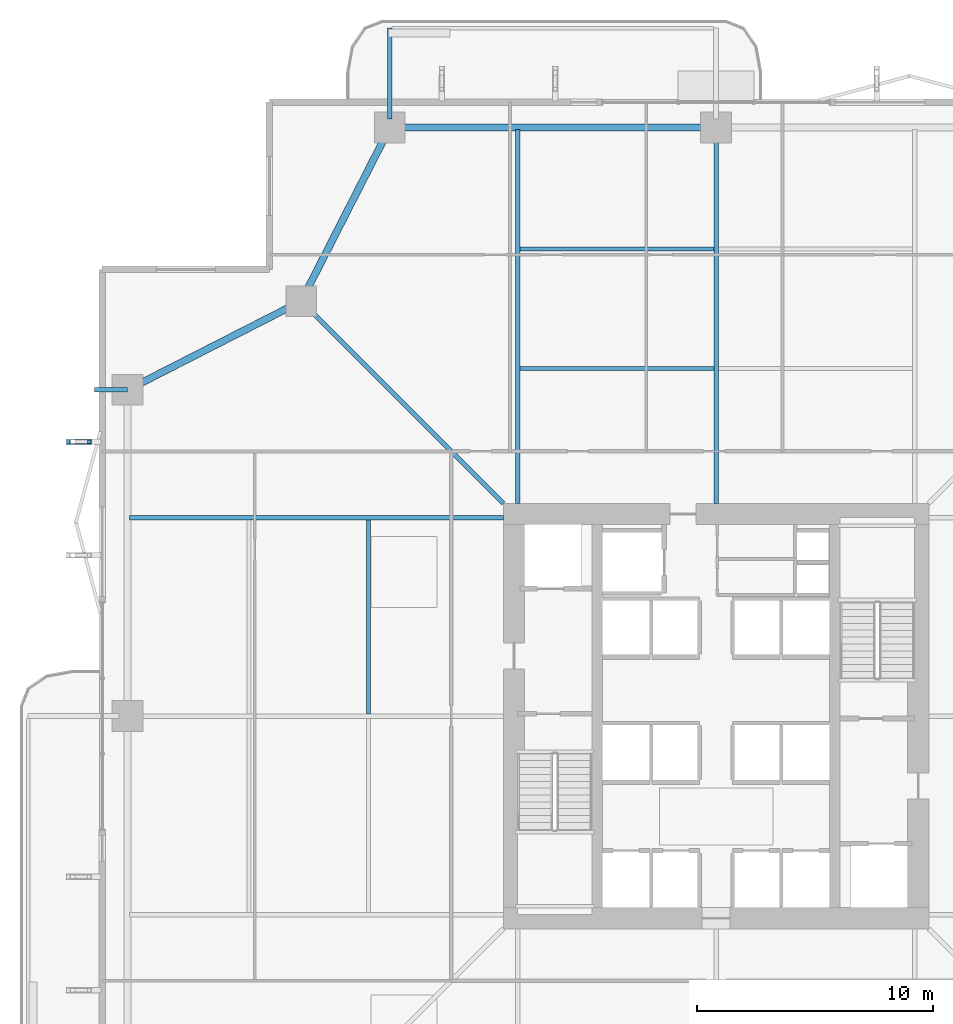
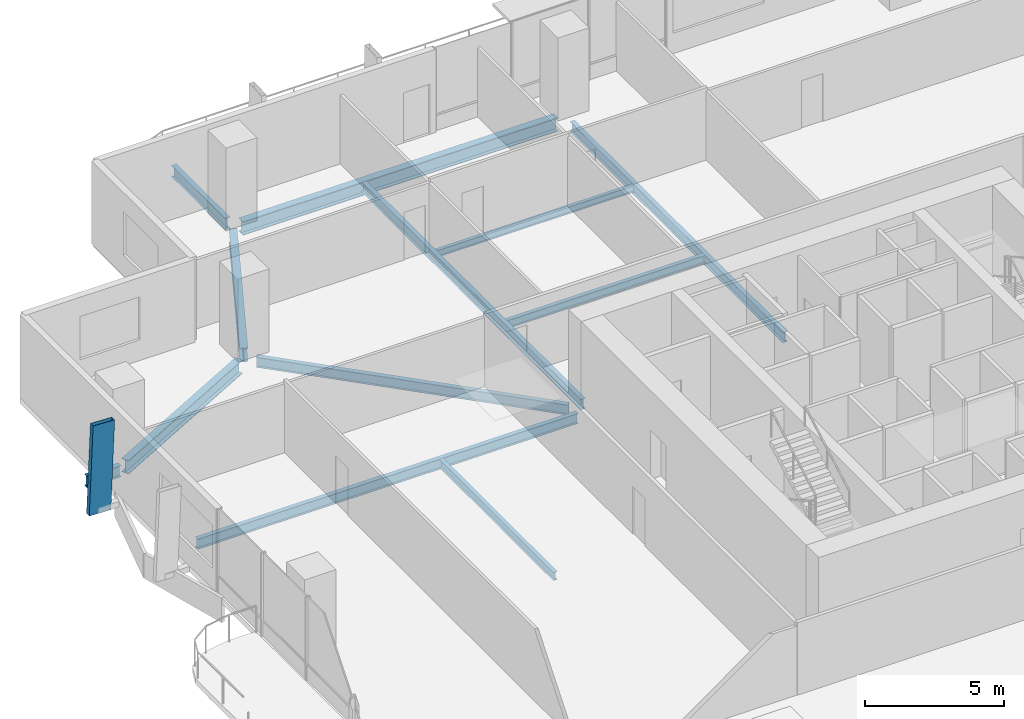
# One storey, part 10 of 24: 12 beams, 1 member.
"""IFC4 building model written with IfcOpenShell, lengths in metres."""

import ifcopenshell
import ifcopenshell.guid

model = None  # the IFC model being written
_history = None  # IfcOwnerHistory: only IFC2X3 demands one
_inside = {}  # id of a spatial element -> (the spatial element, [elements in it])
_under = {}  # id of a project, library or spatial element -> (it, [spatial elements below it])
_declared = {}  # id of a project -> (the project, [libraries it declares])
_typed = {}  # id of a type object -> (the type object, [elements of that type])
_made_of = {}  # id of a material, layer set ... -> (it, [elements and type objects made of it])


def new_model(schema):
    """Start an empty IFC model of exactly this schema.

    Asked for "IFC4X3", IfcOpenShell would pick the latest addendum, in which some entities
    have other attributes; the version numbers below select the first issue.
    IFC2X3 requires an IfcOwnerHistory on every rooted entity: one is made here for all.
    """
    global model, _history
    if schema == "IFC4X3":
        model = ifcopenshell.file(schema_version=(4, 3, 0, 0))
    else:
        model = ifcopenshell.file(schema=schema)
    _inside.clear()
    _under.clear()
    _declared.clear()
    _typed.clear()
    _made_of.clear()
    _history = None
    if model.schema == "IFC2X3":
        org = make("IfcOrganization", Name="unknown")
        user = make(
            "IfcPersonAndOrganization",
            ThePerson=make("IfcPerson", FamilyName="unknown"),
            TheOrganization=org,
        )
        app = make(
            "IfcApplication",
            ApplicationDeveloper=org,
            Version="unknown",
            ApplicationFullName="unknown",
            ApplicationIdentifier="unknown",
        )
        _history = make(
            "IfcOwnerHistory",
            OwningUser=user,
            OwningApplication=app,
            ChangeAction="ADDED",
            CreationDate=0,
        )
    return model


def make(cls, **values):
    """One entity of the class cls with the attributes given. An attribute that is None is left unset."""
    return model.create_entity(
        cls, **{name: value for name, value in values.items() if value is not None}
    )


def rooted(cls, **values):
    """An entity with a GlobalId (a new one), such as an element, a storey or a relation."""
    return make(cls, GlobalId=ifcopenshell.guid.new(), OwnerHistory=_history, **values)


def si_unit(unit_type, name, prefix=None):
    """IfcSIUnit, for example si_unit("LENGTHUNIT", "METRE", prefix="MILLI")."""
    return make("IfcSIUnit", UnitType=unit_type, Prefix=prefix, Name=name)


def assignment(units):
    """IfcUnitAssignment: the units of a project."""
    return None if units is None else make("IfcUnitAssignment", Units=units)


def point(xyz):
    """IfcCartesianPoint."""
    return None if xyz is None else make("IfcCartesianPoint", Coordinates=xyz)


def direction(xyz):
    """IfcDirection."""
    return None if xyz is None else make("IfcDirection", DirectionRatios=xyz)


def frame(location, z_axis=None, x_axis=None):
    """IfcAxis2Placement3D, a coordinate frame: its origin and axes. An axis left out is left unset."""
    return make(
        "IfcAxis2Placement3D",
        Location=point(location),
        Axis=direction(z_axis),
        RefDirection=direction(x_axis),
    )


def frame_2d(location, x_axis=None):
    """IfcAxis2Placement2D, a coordinate frame in the plane: its origin and x axis."""
    return make(
        "IfcAxis2Placement2D", Location=point(location), RefDirection=direction(x_axis)
    )


def origin():
    """The frame at (0, 0, 0) with its axes left unset."""
    return frame((0.0, 0.0, 0.0))


def origin_2d():
    """The frame at (0, 0) in the plane with its x axis left unset."""
    return frame_2d((0.0, 0.0))


def place(relative_to, where):
    """IfcLocalPlacement: puts the frame where relative to a parent placement (None: the world)."""
    return make(
        "IfcLocalPlacement", PlacementRelTo=relative_to, RelativePlacement=where
    )


def context(
    kind, dimensions, precision=None, world=None, true_north=None, identifier=None
):
    """IfcGeometricRepresentationContext, for example the 3D "Model" context."""
    return make(
        "IfcGeometricRepresentationContext",
        ContextIdentifier=identifier,
        ContextType=kind,
        CoordinateSpaceDimension=dimensions,
        Precision=precision,
        WorldCoordinateSystem=world,
        TrueNorth=true_north,
    )


def subcontext(parent, identifier, kind, view, scale=None):
    """IfcGeometricRepresentationSubContext, for example "Body" below "Model"."""
    return make(
        "IfcGeometricRepresentationSubContext",
        ContextIdentifier=identifier,
        ContextType=kind,
        ParentContext=parent,
        TargetScale=scale,
        TargetView=view,
    )


def project(units=None, contexts=None):
    """IfcProject with its units and contexts."""
    return rooted(
        "IfcProject",
        Name="project",
        RepresentationContexts=contexts,
        UnitsInContext=assignment(units),
    )


def spatial(cls, under=None, at=None, **own):
    """A site, building, storey or space (cls), placed at a placement, below another one or the project."""
    s = rooted(cls, ObjectPlacement=at, **own)
    if under is not None:
        _under.setdefault(under.id(), (under, []))[1].append(s)
    return s


def profile(cls, at=None, kind="AREA", **sizes):
    """A parametric profile (cls). Its sizes go by their IFC names, for example OverallWidth=200.0."""
    return make(cls, ProfileType=kind, Position=at, **sizes)


def hollow_rectangle(**sizes):
    """IfcRectangleHollowProfileDef."""
    return profile("IfcRectangleHollowProfileDef", **sizes)


def i_section(**sizes):
    """IfcIShapeProfileDef."""
    return profile("IfcIShapeProfileDef", **sizes)


def extrude(swept, where, along, depth):
    """IfcExtrudedAreaSolid: the profile swept, set in the frame where, extruded along a direction by depth."""
    return make(
        "IfcExtrudedAreaSolid",
        SweptArea=swept,
        Position=where,
        ExtrudedDirection=direction(along),
        Depth=depth,
    )


def shape(context_of_items, identifier, shape_type, items):
    """IfcShapeRepresentation: the items that make up one representation, for example the "Body"."""
    return make(
        "IfcShapeRepresentation",
        ContextOfItems=context_of_items,
        RepresentationIdentifier=identifier,
        RepresentationType=shape_type,
        Items=items,
    )


def material(Name=None, Category=None):
    """IfcMaterial."""
    return make("IfcMaterial", Name=Name, Category=Category)


def material_profile(
    of_material, cross_section, Name=None, Category=None, Priority=None
):
    """IfcMaterialProfile: a cross section and its material."""
    return make(
        "IfcMaterialProfile",
        Name=Name,
        Material=of_material,
        Profile=cross_section,
        Priority=Priority,
        Category=Category,
    )


def profile_set(profiles, Name=None, composite=None):
    """IfcMaterialProfileSet."""
    return make(
        "IfcMaterialProfileSet",
        Name=Name,
        MaterialProfiles=profiles,
        CompositeProfile=composite,
    )


def made_of(thing, what):
    """Note that an element or type object is made of a material, layer set ...; save() writes the relation."""
    if what is not None:
        _made_of.setdefault(what.id(), (what, []))[1].append(thing)
    return thing


def type_object(cls, material=None, **own):
    """A type object (cls), such as IfcWallType, which elements share."""
    return made_of(rooted(cls, **own), material)


def element(
    cls,
    number,
    at=None,
    inside=None,
    cuts=None,
    type_object=None,
    material=None,
    context=None,
    identifier="Body",
    shape_type=None,
    held_by="IfcProductDefinitionShape",
    body=None,
    shapes=None,
    **own,
):
    """One element of the class cls, such as IfcWall. Its Tag is "e" and its number.

    at: its placement. inside: the storey or other place that contains it. cuts: it is an
    opening in that element (IfcRelVoidsElement). A single representation is given by context,
    identifier, shape_type and body (its items); several are given by shapes. held_by: the class
    of the entity that holds the representations. save() writes the other relations.
    """
    e = rooted(cls, Tag="e%d" % number, ObjectPlacement=at, **own)
    if body is not None:
        shapes = [shape(context, identifier, shape_type, body)]
    if shapes is not None:
        e.Representation = make(held_by, Representations=shapes)
    if inside is not None:
        _inside.setdefault(inside.id(), (inside, []))[1].append(e)
    if cuts is not None:
        rooted(
            "IfcRelVoidsElement", RelatingBuildingElement=cuts, RelatedOpeningElement=e
        )
    if type_object is not None:
        _typed.setdefault(type_object.id(), (type_object, []))[1].append(e)
    return made_of(e, material)


def aggregate(whole, parts):
    """IfcRelAggregates: a whole, such as a stair, and the parts it consists of."""
    return rooted("IfcRelAggregates", RelatingObject=whole, RelatedObjects=parts)


def save(model, path):
    """Write the relations noted so far, then the file.

    IfcRelAggregates (storeys below a building ...), IfcRelContainedInSpatialStructure (elements
    in a storey), IfcRelDefinesByType, IfcRelAssociatesMaterial and IfcRelDeclares: one each for
    every whole, place, type object, material and project.
    """
    for whole, parts in _under.values():
        aggregate(whole, parts)
    for where, things in _inside.values():
        rooted(
            "IfcRelContainedInSpatialStructure",
            RelatedElements=things,
            RelatingStructure=where,
        )
    for kind, things in _typed.values():
        rooted("IfcRelDefinesByType", RelatedObjects=things, RelatingType=kind)
    for what, things in _made_of.values():
        rooted("IfcRelAssociatesMaterial", RelatedObjects=things, RelatingMaterial=what)
    for by, libraries in _declared.values():
        rooted("IfcRelDeclares", RelatingContext=by, RelatedDefinitions=libraries)
    model.write(path)


model = new_model("IFC4")

# Units and contexts
model_context = context("Model", 3, precision=1e-05, world=origin(), true_north=direction((0.0, 1.0)))
body_context = subcontext(model_context, "Body", "Model", "MODEL_VIEW")
ifc_project = project(units=[si_unit("LENGTHUNIT", "METRE"), si_unit("AREAUNIT", "SQUARE_METRE"), si_unit("VOLUMEUNIT", "CUBIC_METRE"), si_unit("PLANEANGLEUNIT", "RADIAN"), si_unit("MASSUNIT", "GRAM", prefix="KILO")], contexts=[model_context])

# Site, building, storey
site_placement = place(None, origin())
site = spatial("IfcSite", under=ifc_project, at=site_placement, CompositionType="ELEMENT")
building_placement = place(site_placement, origin())
building = spatial("IfcBuilding", under=site, at=building_placement, Name="Belovzor Exchange Tower", CompositionType="ELEMENT")
storey_placement = place(building_placement, frame((0.0, 0.0, 117.300048828125)))
storey = spatial("IfcBuildingStorey", under=building, at=storey_placement, Name="L28", CompositionType="ELEMENT", Elevation=117.300048828125)

# Beams
ifc_material_1 = material(Name="Steel S355", Category="steel")
ifc_material_profile_1 = material_profile(ifc_material_1, i_section(OverallWidth=0.199951171875, OverallDepth=0.5, WebThickness=0.01025390625, FlangeThickness=0.01611328125, at=origin_2d()))
ifc_profile_set_1 = profile_set([ifc_material_profile_1], Name="Steel S355")
beam_type_1 = type_object("IfcBeamType", Name="Planted Balcony Cantilever Beam IPE 500", PredefinedType="BEAM", material=ifc_profile_set_1)
beam_1_placement = place(storey_placement, frame((15.0, 54.05810546875, -0.5), z_axis=(0.0, 1.0, 0.0), x_axis=(-1.0, 0.0, 0.0)))
element("IfcBeam", 1, at=beam_1_placement, inside=storey, type_object=beam_type_1, Name="BC-500 Planted Balcony Cantilever Beam IPE 500", PredefinedType="BEAM", context=body_context, shape_type="SweptSolid", body=[
    extrude(i_section(OverallWidth=0.199951171875, OverallDepth=0.5, WebThickness=0.01025390625, FlangeThickness=0.01611328125, at=origin_2d()), origin(), (0.0, 0.0, 1.0), 3.849853515625),
])
beam_2_placement = place(storey_placement, frame((3.89990234375, 42.60009765625, -0.5), z_axis=(-1.0, 0.0, 0.0), x_axis=(0.0, -1.0, 0.0)))
element("IfcBeam", 2, at=beam_2_placement, inside=storey, type_object=beam_type_1, Name="BC-500 Planted Balcony Cantilever Beam IPE 500", PredefinedType="BEAM", context=body_context, shape_type="SweptSolid", body=[
    extrude(i_section(OverallWidth=0.199951171875, OverallDepth=0.5, WebThickness=0.01025390625, FlangeThickness=0.01611328125, at=origin_2d()), origin(), (0.0, 0.0, 1.0), 1.39990234375),
])
ifc_material_2 = material(Name="Steel S355", Category="steel")
ifc_material_profile_2 = material_profile(ifc_material_2, i_section(OverallWidth=0.169921875, OverallDepth=0.360107421875, WebThickness=0.008056640625, FlangeThickness=0.0126953125, at=origin_2d()))
ifc_profile_set_2 = profile_set([ifc_material_profile_2], Name="Steel S355")
beam_type_2 = type_object("IfcBeamType", Name="Secondary Infill Floor Joist IPE 360", PredefinedType="BEAM", material=ifc_profile_set_2)
for number, where, z_axis, x_axis, name in (
    (3, (20.4951171875, 43.4970703125, -0.429931640625), (1.0, 0.0, 0.0), (0.0, 1.0, 0.0), "FJ-360 Secondary Infill Floor Joist IPE 360"),
    (4, (14.10302734375, 28.89501953125, -0.429931640625), (0.0, 1.0, 0.0), (-1.0, 0.0, 0.0), "FJ-360 Secondary Infill Floor Joist IPE 360"),
):
    element("IfcBeam", number, at=place(storey_placement, frame(where, z_axis=z_axis, x_axis=x_axis)), inside=storey, type_object=beam_type_2, Name=name, PredefinedType="BEAM", context=body_context, shape_type="SweptSolid", body=[
        extrude(i_section(OverallWidth=0.169921875, OverallDepth=0.360107421875, WebThickness=0.008056640625, FlangeThickness=0.0126953125, at=origin_2d()), origin(), (0.0, 0.0, 1.0), 8.2099609375),
    ])
ifc_material_3 = material(Name="Steel S355", Category="steel")
ifc_material_profile_3 = material_profile(ifc_material_3, i_section(OverallWidth=0.14990234375, OverallDepth=0.300048828125, WebThickness=0.007080078125, FlangeThickness=0.0107421875, at=origin_2d()))
ifc_profile_set_3 = profile_set([ifc_material_profile_3], Name="Steel S355")
beam_type_3 = type_object("IfcBeamType", Name="Secondary Trim Floor Joist IPE 300", PredefinedType="BEAM", material=ifc_profile_set_3)
beam_3_placement = place(storey_placement, frame((20.4951171875, 48.56103515625, -0.400146484375), z_axis=(1.0, 0.0, 0.0), x_axis=(0.0, 1.0, 0.0)))
element("IfcBeam", 5, at=beam_3_placement, inside=storey, type_object=beam_type_3, Name="FJ-300 Secondary Trim Floor Joist IPE 300", PredefinedType="BEAM", context=body_context, shape_type="SweptSolid", body=[
    extrude(i_section(OverallWidth=0.14990234375, OverallDepth=0.300048828125, WebThickness=0.007080078125, FlangeThickness=0.0107421875, at=origin_2d()), origin(), (0.0, 0.0, 1.0), 8.2099609375),
])

# Member
ifc_material_4 = material(Name="Extruded Architectural Terracotta on Steel S355 Carrier", Category="masonry")
ifc_material_profile_4 = material_profile(ifc_material_4, hollow_rectangle(XDim=0.199951171875, YDim=0.89990234375, WallThickness=0.011962890625, at=origin_2d()))
ifc_profile_set_4 = profile_set([ifc_material_profile_4], Name="Extruded Architectural Terracotta on Steel S355 Carrier")
member_type = type_object("IfcMemberType", Name="Sweeping Terracotta Baguette Fin Assembly 1250", PredefinedType="USERDEFINED", material=ifc_profile_set_4)
member_placement = place(storey_placement, frame((1.758056640625, 40.39990234375, -0.25), z_axis=(0.040719923662, 0.0, 0.999170599956), x_axis=(0.0, 1.0, 0.0)))
element("IfcMember", 6, at=member_placement, inside=storey, type_object=member_type, Name="FIN-TC125 Terracotta Facade Fin L28 W4", ObjectType="FIN", PredefinedType="USERDEFINED", context=body_context, shape_type="SweptSolid", body=[
    extrude(hollow_rectangle(XDim=0.199951171875, YDim=0.89990234375, WallThickness=0.011962890625, at=origin_2d()), origin(), (0.0, 0.0, 1.0), 3.903076171875),
])

# Beams
ifc_material_5 = material(Name="Steel S355", Category="steel")
ifc_material_profile_5 = material_profile(ifc_material_5, i_section(OverallWidth=0.300048828125, OverallDepth=0.60009765625, WebThickness=0.015380859375, FlangeThickness=0.030029296875, at=origin_2d()))
ifc_profile_set_5 = profile_set([ifc_material_profile_5], Name="Steel S355")
beam_type_4 = type_object("IfcBeamType", Name="Zone 2 Primary Perimeter Girder HEB 600", PredefinedType="BEAM", material=ifc_profile_set_5)
beam_4_placement = place(storey_placement, frame((28.44189453125, 53.699951171875, -0.550048828125), z_axis=(-1.0, 0.0, 0.0), x_axis=(0.0, -1.0, 0.0)))
element("IfcBeam", 7, at=beam_4_placement, inside=storey, type_object=beam_type_4, Name="FG-Z2 Zone 2 Primary Perimeter Girder HEB 600", PredefinedType="BEAM", context=body_context, shape_type="SweptSolid", body=[
    extrude(i_section(OverallWidth=0.300048828125, OverallDepth=0.60009765625, WebThickness=0.015380859375, FlangeThickness=0.030029296875, at=origin_2d()), origin(), (0.0, 0.0, 1.0), 13.0849609375),
])
for number, where, z_axis, x_axis, name in (
    (8, (14.837890625, 53.382080078125, -0.550048828125), (-0.454492894481, -0.890750362822, 0.0), (0.890750362822, -0.454492894481, 0.0), "FG-Z2 Zone 2 Primary Perimeter Girder HEB 600"),
    (9, (10.931884765625, 46.18798828125, -0.550048828125), (-0.890730558493, -0.454531706448, 0.0), (0.454531706448, -0.890730558493, 0.0), "FG-Z2 Zone 2 Primary Perimeter Girder HEB 600"),
):
    element("IfcBeam", number, at=place(storey_placement, frame(where, z_axis=z_axis, x_axis=x_axis)), inside=storey, type_object=beam_type_4, Name=name, PredefinedType="BEAM", context=body_context, shape_type="SweptSolid", body=[
        extrude(i_section(OverallWidth=0.300048828125, OverallDepth=0.60009765625, WebThickness=0.015380859375, FlangeThickness=0.030029296875, at=origin_2d()), origin(), (0.0, 0.0, 1.0), 7.53759765625),
    ])
ifc_material_6 = material(Name="Steel S355", Category="steel")
ifc_material_profile_6 = material_profile(ifc_material_6, i_section(OverallWidth=0.18994140625, OverallDepth=0.449951171875, WebThickness=0.009521484375, FlangeThickness=0.0146484375, at=origin_2d()))
ifc_profile_set_6 = profile_set([ifc_material_profile_6], Name="Steel S355")
beam_type_5 = type_object("IfcBeamType", Name="Zone 2-4 Radial Composite Floor Beam IPE 450", PredefinedType="BEAM", material=ifc_profile_set_6)
beam_5_placement = place(storey_placement, frame((20.39990234375, 37.800048828125, -0.47509765625), z_axis=(0.0, 1.0, 0.0), x_axis=(-1.0, 0.0, 0.0)))
element("IfcBeam", 10, at=beam_5_placement, inside=storey, type_object=beam_type_5, Name="FB-450 Zone 2-4 Radial Composite Floor Beam IPE 450", PredefinedType="BEAM", context=body_context, shape_type="SweptSolid", body=[
    extrude(i_section(OverallWidth=0.18994140625, OverallDepth=0.449951171875, WebThickness=0.009521484375, FlangeThickness=0.0146484375, at=origin_2d()), origin(), (0.0, 0.0, 1.0), 15.824951171875),
])
beam_6_placement = place(storey_placement, frame((28.800048828125, 37.800048828125, -0.47509765625), z_axis=(0.0, 1.0, 0.0), x_axis=(-1.0, 0.0, 0.0)))
element("IfcBeam", 11, at=beam_6_placement, inside=storey, type_object=beam_type_5, Name="FB-450 Zone 2-4 Radial Composite Floor Beam IPE 450", PredefinedType="BEAM", context=body_context, shape_type="SweptSolid", body=[
    extrude(i_section(OverallWidth=0.18994140625, OverallDepth=0.449951171875, WebThickness=0.009521484375, FlangeThickness=0.0146484375, at=origin_2d()), origin(), (0.0, 0.0, 1.0), 15.327880859375),
])
beam_7_placement = place(storey_placement, frame((19.800048828125, 37.199951171875, -0.47509765625), z_axis=(-1.0, 0.0, 0.0), x_axis=(0.0, -1.0, 0.0)))
element("IfcBeam", 12, at=beam_7_placement, inside=storey, type_object=beam_type_5, Name="FB-450 Zone 2-4 Radial Composite Floor Beam IPE 450", PredefinedType="BEAM", context=body_context, shape_type="SweptSolid", body=[
    extrude(i_section(OverallWidth=0.18994140625, OverallDepth=0.449951171875, WebThickness=0.009521484375, FlangeThickness=0.0146484375, at=origin_2d()), origin(), (0.0, 0.0, 1.0), 15.824951171875),
])
beam_8_placement = place(storey_placement, frame((19.800048828125, 37.800048828125, -0.47509765625), z_axis=(-0.707117275577, 0.70709628664, 0.0), x_axis=(-0.70709628664, -0.707117275577, 0.0)))
element("IfcBeam", 13, at=beam_8_placement, inside=storey, type_object=beam_type_5, Name="FB-450 Zone 2-4 Radial Composite Floor Beam IPE 450", PredefinedType="BEAM", context=body_context, shape_type="SweptSolid", body=[
    extrude(i_section(OverallWidth=0.18994140625, OverallDepth=0.449951171875, WebThickness=0.009521484375, FlangeThickness=0.0146484375, at=origin_2d()), origin(), (0.0, 0.0, 1.0), 11.6318359375),
])

save(model, "model.ifc")
